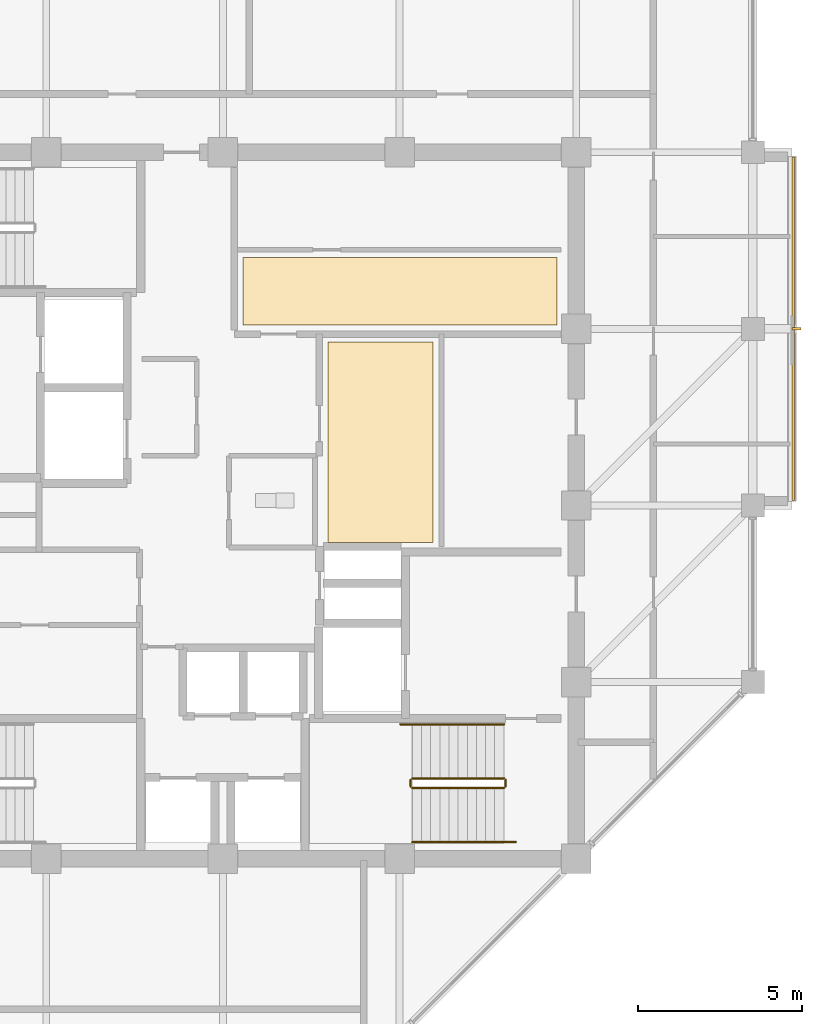
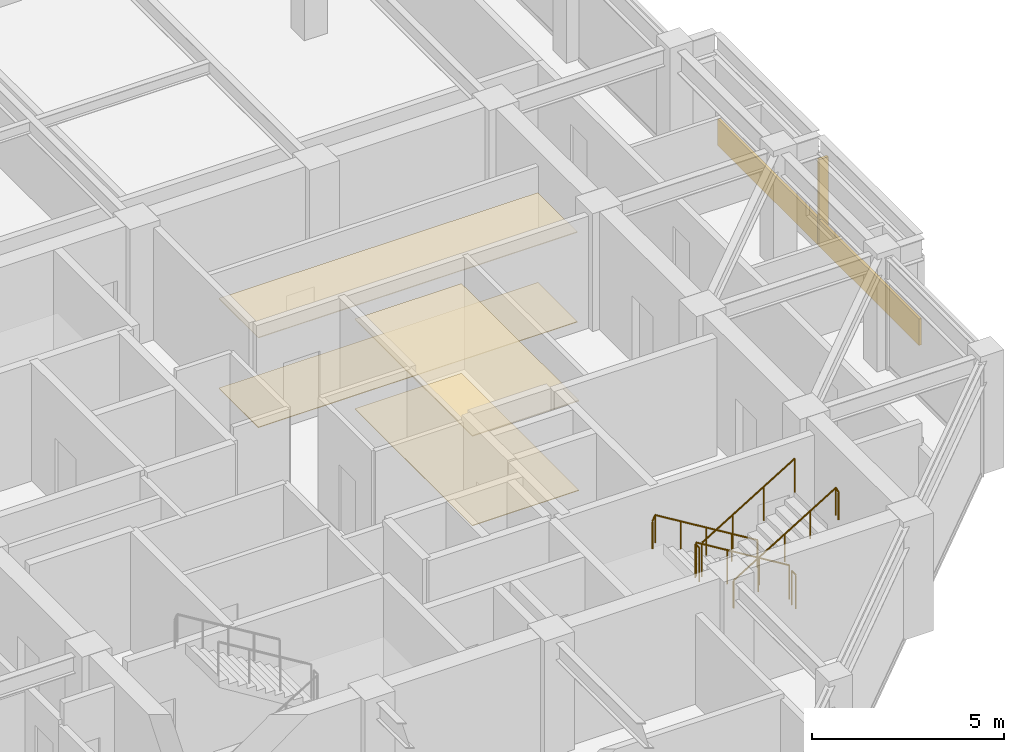
# One storey, part 28 of 29: 6 railings, 5 coverings, 1 shading device.
"""IFC4 building model written with IfcOpenShell, lengths in metres."""

from ifc_helpers import new_model, si_unit, direction, frame, origin, origin_2d, place, context, subcontext, project, spatial, polyline, rectangle, circle, outline, extrude, material, layer, layer_set, type_object, element, save


model = new_model("IFC4")

# Units and contexts
model_context = context("Model", 3, precision=1e-05, world=origin(), true_north=direction((0.0, 1.0)))
body_context = subcontext(model_context, "Body", "Model", "MODEL_VIEW")
ifc_project = project(units=[si_unit("LENGTHUNIT", "METRE"), si_unit("AREAUNIT", "SQUARE_METRE"), si_unit("VOLUMEUNIT", "CUBIC_METRE"), si_unit("PLANEANGLEUNIT", "RADIAN"), si_unit("MASSUNIT", "GRAM", prefix="KILO")], contexts=[model_context])

# Site, building, storey
site_placement = place(None, origin())
site = spatial("IfcSite", under=ifc_project, at=site_placement, CompositionType="ELEMENT")
building_placement = place(site_placement, origin())
building = spatial("IfcBuilding", under=site, at=building_placement, Name="Surkhivell Harbour Commons", CompositionType="ELEMENT")
storey_placement = place(building_placement, frame((0.0, 0.0, 277.5)))
storey = spatial("IfcBuildingStorey", under=building, at=storey_placement, Name="L72", CompositionType="ELEMENT", Elevation=277.5)

# Coverings
ifc_material_1 = material(Name="Perforated acoustic mineral-fibre ceiling tile", Category="other")
ifc_layer_1 = layer(ifc_material_1, 0.02490234375)
ifc_layer_set_1 = layer_set([ifc_layer_1], Name="Perforated acoustic mineral-fibre ceiling tile")
covering_type_1 = type_object("IfcCoveringType", Name="COV-CEIL-AC", PredefinedType="CEILING", material=ifc_layer_set_1)
covering_1_placement = place(storey_placement, frame((0.0, 0.0, 2.85205078125)))
element("IfcCovering", 1, at=covering_1_placement, inside=storey, type_object=covering_type_1, Name="L72 Suspended Acoustic Ceiling 1", PredefinedType="CEILING", context=body_context, shape_type="SweptSolid", body=[
    extrude(outline(polyline([(0.6201171875, 5.52001953125), (10.219970703125, 5.52001953125), (10.219970703125, 7.580078125), (0.6201171875, 7.580078125), (0.6201171875, 5.52001953125)])), origin(), (0.0, 0.0, 1.0), 0.02490234375),
])
ifc_material_2 = material(Name="Moisture-resistant gypsum acoustic ceiling board", Category="other")
ifc_layer_2 = layer(ifc_material_2, 0.030029296875)
ifc_layer_set_2 = layer_set([ifc_layer_2], Name="Moisture-resistant gypsum acoustic ceiling board")
covering_type_2 = type_object("IfcCoveringType", Name="COV-CEIL-GYP", PredefinedType="CEILING", material=ifc_layer_set_2)
covering_2_placement = place(storey_placement, frame((0.0, 0.0, 2.846923828125)))
element("IfcCovering", 2, at=covering_2_placement, inside=storey, type_object=covering_type_2, Name="L72 Suspended Acoustic Ceiling 2", PredefinedType="CEILING", context=body_context, shape_type="SweptSolid", body=[
    extrude(outline(polyline([(3.219970703125, -1.1298828125), (6.429931640625, -1.1298828125), (6.429931640625, 5.0), (3.219970703125, 5.0), (3.219970703125, -1.1298828125)])), origin(), (0.0, 0.0, 1.0), 0.030029296875),
])
ifc_material_3 = material(Name="Vermilion-coral enamelled aluminium cassette panel", Category="aluminium")
ifc_layer_3 = layer(ifc_material_3, 0.074951171875)
ifc_layer_set_3 = layer_set([ifc_layer_3], Name="Vermilion-coral enamelled aluminium cassette panel")
covering_type_3 = type_object("IfcCoveringType", Name="COV-CLAD-VER", PredefinedType="CLADDING", material=ifc_layer_set_3)
covering_3_placement = place(storey_placement, frame((17.43994140625, 5.39990234375, 0.0), z_axis=(0.0, 0.0, 1.0), x_axis=(1.0, 0.0, 0.0)))
element("IfcCovering", 3, at=covering_3_placement, inside=storey, type_object=covering_type_3, Name="L72 Coloured-Panel Box Spandrel Cassette 01", PredefinedType="CLADDING", context=body_context, shape_type="SweptSolid", body=[
    extrude(rectangle(XDim=0.080078125, YDim=10.5, at=origin_2d()), origin(), (0.0, 0.0, 1.0), 0.840087890625),
])
ifc_material_4 = material(Name="Engineered acoustic oak timber flooring", Category="wood")
ifc_layer_4 = layer(ifc_material_4, 0.02001953125)
ifc_layer_set_4 = layer_set([ifc_layer_4], Name="Engineered acoustic oak timber flooring")
covering_type_4 = type_object("IfcCoveringType", Name="COV-FLR-TIM", PredefinedType="FLOORING", material=ifc_layer_set_4)
covering_4_placement = place(storey_placement, origin())
element("IfcCovering", 4, at=covering_4_placement, inside=storey, type_object=covering_type_4, Name="L72 Interior Floor Finish 1", PredefinedType="FLOORING", context=body_context, shape_type="SweptSolid", body=[
    extrude(outline(polyline([(0.6201171875, 5.52001953125), (10.219970703125, 5.52001953125), (10.219970703125, 7.580078125), (0.6201171875, 7.580078125), (0.6201171875, 5.52001953125)])), origin(), (0.0, 0.0, 1.0), 0.02001953125),
])
covering_5_placement = place(storey_placement, origin())
element("IfcCovering", 5, at=covering_5_placement, inside=storey, type_object=covering_type_4, Name="L72 Interior Floor Finish 2", PredefinedType="FLOORING", context=body_context, shape_type="SweptSolid", body=[
    extrude(outline(polyline([(3.219970703125, -1.1298828125), (6.429931640625, -1.1298828125), (6.429931640625, 5.0), (3.219970703125, 5.0), (3.219970703125, -1.1298828125)])), origin(), (0.0, 0.0, 1.0), 0.02001953125),
])

# Railings
ifc_material_5 = material(Name="Galvanised and painted steel S355 guard rail", Category="steel")
railing_type_1 = type_object("IfcRailingType", Name="RAL-ST-GRD1100", PredefinedType="GUARDRAIL", material=ifc_material_5)
railing_1_placement = place(storey_placement, frame((8.590087890625, -8.340087890625, 0.17041015625)))
element("IfcRailing", 6, at=railing_1_placement, inside=storey, type_object=railing_type_1, Name="L72 ST2 stair guard 1", PredefinedType="GUARDRAIL", context=body_context, shape_type="SweptSolid", body=[
    extrude(circle(Radius=0.02392578125, at=origin_2d()), frame((0.0, 0.0, 1.076171875), z_axis=(-0.854169791009, 0.0, 0.51999420009), x_axis=(0.0, -1.0, 0.0)), (0.0, 0.0, 1.0), 3.278076171875),
    extrude(circle(Radius=0.02099609375, at=origin_2d()), origin(), (0.0, 0.0, 1.0), 1.052001953125),
    extrude(circle(Radius=0.02099609375, at=origin_2d()), frame((-0.933349609375, 0.0, 0.568115234375)), (0.0, 0.0, 1.0), 1.052001953125),
    extrude(circle(Radius=0.02099609375, at=origin_2d()), frame((-1.86669921875, 0.0, 1.136474609375)), (0.0, 0.0, 1.0), 1.052001953125),
    extrude(circle(Radius=0.02099609375, at=origin_2d()), frame((-2.800048828125, 0.0, 1.70458984375)), (0.0, 0.0, 1.0), 1.052001953125),
])
railing_2_placement = place(storey_placement, frame((5.739990234375, -8.389892578125, 1.875)))
element("IfcRailing", 7, at=railing_2_placement, inside=storey, type_object=railing_type_1, Name="L72 ST2 stair guard 2", PredefinedType="GUARDRAIL", context=body_context, shape_type="SweptSolid", body=[
    extrude(circle(Radius=0.02392578125, at=origin_2d()), frame((0.0, 0.0, 1.076171875), z_axis=(0.0, -1.0, 0.0), x_axis=(1.0, 0.0, 0.0)), (0.0, 0.0, 1.0), 0.2001953125),
    extrude(circle(Radius=0.02099609375, at=origin_2d()), origin(), (0.0, 0.0, 1.0), 1.052001953125),
    extrude(circle(Radius=0.02099609375, at=origin_2d()), frame((0.0, -0.2001953125, 0.0)), (0.0, 0.0, 1.0), 1.052001953125),
])
railing_3_placement = place(storey_placement, frame((5.7900390625, -8.639892578125, 2.04541015625)))
element("IfcRailing", 8, at=railing_3_placement, inside=storey, type_object=railing_type_1, Name="L72 ST2 stair guard 3", PredefinedType="GUARDRAIL", context=body_context, shape_type="SweptSolid", body=[
    extrude(circle(Radius=0.02392578125, at=origin_2d()), frame((0.0, 0.0, 1.076171875), z_axis=(0.854169791009, 0.0, 0.51999420009), x_axis=(0.0, 1.0, 0.0)), (0.0, 0.0, 1.0), 3.278076171875),
    extrude(circle(Radius=0.02099609375, at=origin_2d()), origin(), (0.0, 0.0, 1.0), 1.052001953125),
    extrude(circle(Radius=0.02099609375, at=origin_2d()), frame((0.933349609375, 0.0, 0.568115234375)), (0.0, 0.0, 1.0), 1.052001953125),
    extrude(circle(Radius=0.02099609375, at=origin_2d()), frame((1.86669921875, 0.0, 1.136474609375)), (0.0, 0.0, 1.0), 1.052001953125),
    extrude(circle(Radius=0.02099609375, at=origin_2d()), frame((2.800048828125, 0.0, 1.70458984375)), (0.0, 0.0, 1.0), 1.052001953125),
])
railing_4_placement = place(storey_placement, frame((8.639892578125, -8.389892578125, 0.0)))
element("IfcRailing", 9, at=railing_4_placement, inside=storey, type_object=railing_type_1, Name="L72 ST2 stair guard 4", PredefinedType="GUARDRAIL", context=body_context, shape_type="SweptSolid", body=[
    extrude(circle(Radius=0.02392578125, at=origin_2d()), frame((0.0, 0.0, 1.076171875), z_axis=(0.0, -1.0, 0.0), x_axis=(1.0, 0.0, 0.0)), (0.0, 0.0, 1.0), 0.2001953125),
    extrude(circle(Radius=0.02099609375, at=origin_2d()), origin(), (0.0, 0.0, 1.0), 1.052001953125),
    extrude(circle(Radius=0.02099609375, at=origin_2d()), frame((0.0, -0.2001953125, 0.0)), (0.0, 0.0, 1.0), 1.052001953125),
])
ifc_material_6 = material(Name="Brushed stainless steel S355 handrail", Category="steel")
railing_type_2 = type_object("IfcRailingType", Name="RAL-ST-HND900", PredefinedType="HANDRAIL", material=ifc_material_6)
railing_5_placement = place(storey_placement, frame((8.590087890625, -6.68994140625, 0.17041015625)))
element("IfcRailing", 10, at=railing_5_placement, inside=storey, type_object=railing_type_2, Name="L72 ST2 stair handrail 1", PredefinedType="HANDRAIL", context=body_context, shape_type="SweptSolid", body=[
    extrude(circle(Radius=0.02392578125, at=origin_2d()), frame((0.0, 0.0, 0.8759765625), z_axis=(-0.854177636135, 0.0, 0.519981313056), x_axis=(0.0, -1.0, 0.0)), (0.0, 0.0, 1.0), 3.60595703125),
    extrude(circle(Radius=0.02392578125, at=origin_2d()), frame((-3.080078125, 0.0, 2.7509765625), z_axis=(-0.425297416671, 0.0, -0.905053648892), x_axis=(0.0, -1.0, 0.0)), (0.0, 0.0, 1.0), 0.188232421875),
    extrude(circle(Radius=0.02099609375, at=origin_2d()), origin(), (0.0, 0.0, 1.0), 0.851806640625),
    extrude(circle(Radius=0.02099609375, at=origin_2d()), frame((-0.77001953125, 0.0, 0.46875)), (0.0, 0.0, 1.0), 0.851806640625),
    extrude(circle(Radius=0.02099609375, at=origin_2d()), frame((-1.5400390625, 0.0, 0.9375)), (0.0, 0.0, 1.0), 0.851806640625),
    extrude(circle(Radius=0.02099609375, at=origin_2d()), frame((-2.31005859375, 0.0, 1.40625)), (0.0, 0.0, 1.0), 0.851806640625),
    extrude(circle(Radius=0.02099609375, at=origin_2d()), frame((-3.080078125, 0.0, 1.875)), (0.0, 0.0, 1.0), 0.851806640625),
    extrude(circle(Radius=0.02099609375, at=origin_2d()), frame((-3.16015625, 0.0, 1.70458984375)), (0.0, 0.0, 1.0), 0.851806640625),
])
railing_6_placement = place(storey_placement, frame((5.7900390625, -10.2900390625, 2.04541015625)))
element("IfcRailing", 11, at=railing_6_placement, inside=storey, type_object=railing_type_2, Name="L72 ST2 stair handrail 2", PredefinedType="HANDRAIL", context=body_context, shape_type="SweptSolid", body=[
    extrude(circle(Radius=0.02392578125, at=origin_2d()), frame((0.0, 0.0, 0.8759765625), z_axis=(0.854177636135, 0.0, 0.519981313056), x_axis=(0.0, 1.0, 0.0)), (0.0, 0.0, 1.0), 3.60595703125),
    extrude(circle(Radius=0.02392578125, at=origin_2d()), frame((3.080078125, 0.0, 2.7509765625), z_axis=(0.424234432967, 0.0, -0.905552398199), x_axis=(0.0, 1.0, 0.0)), (0.0, 0.0, 1.0), 0.188232421875),
    extrude(circle(Radius=0.02099609375, at=origin_2d()), origin(), (0.0, 0.0, 1.0), 0.851806640625),
    extrude(circle(Radius=0.02099609375, at=origin_2d()), frame((0.77001953125, 0.0, 0.46875)), (0.0, 0.0, 1.0), 0.851806640625),
    extrude(circle(Radius=0.02099609375, at=origin_2d()), frame((1.5400390625, 0.0, 0.9375)), (0.0, 0.0, 1.0), 0.851806640625),
    extrude(circle(Radius=0.02099609375, at=origin_2d()), frame((2.31005859375, 0.0, 1.40625)), (0.0, 0.0, 1.0), 0.851806640625),
    extrude(circle(Radius=0.02099609375, at=origin_2d()), frame((3.080078125, 0.0, 1.875)), (0.0, 0.0, 1.0), 0.851806640625),
    extrude(circle(Radius=0.02099609375, at=origin_2d()), frame((3.159912109375, 0.0, 1.70458984375)), (0.0, 0.0, 1.0), 0.851806640625),
])

# Shading device
ifc_material_7 = material(Name="Champagne anodised aluminium solar fin", Category="aluminium")
shading_device_type = type_object("IfcShadingDeviceType", Name="SHD-FIN-SLIM", PredefinedType="USERDEFINED", material=ifc_material_7)
shading_device_placement = place(storey_placement, frame((17.5400390625, 5.39990234375, 0.0048828125), z_axis=(0.0, 0.0, 1.0), x_axis=(1.0, 0.0, 0.0)))
element("IfcShadingDevice", 12, at=shading_device_placement, inside=storey, type_object=shading_device_type, Name="L72 Coloured-Box Solar Fin 01", ObjectType="FIN", PredefinedType="USERDEFINED", context=body_context, shape_type="SweptSolid", body=[
    extrude(rectangle(XDim=0.280029296875, YDim=0.080078125, at=origin_2d()), origin(), (0.0, 0.0, 1.0), 2.75),
])

save(model, "model.ifc")
